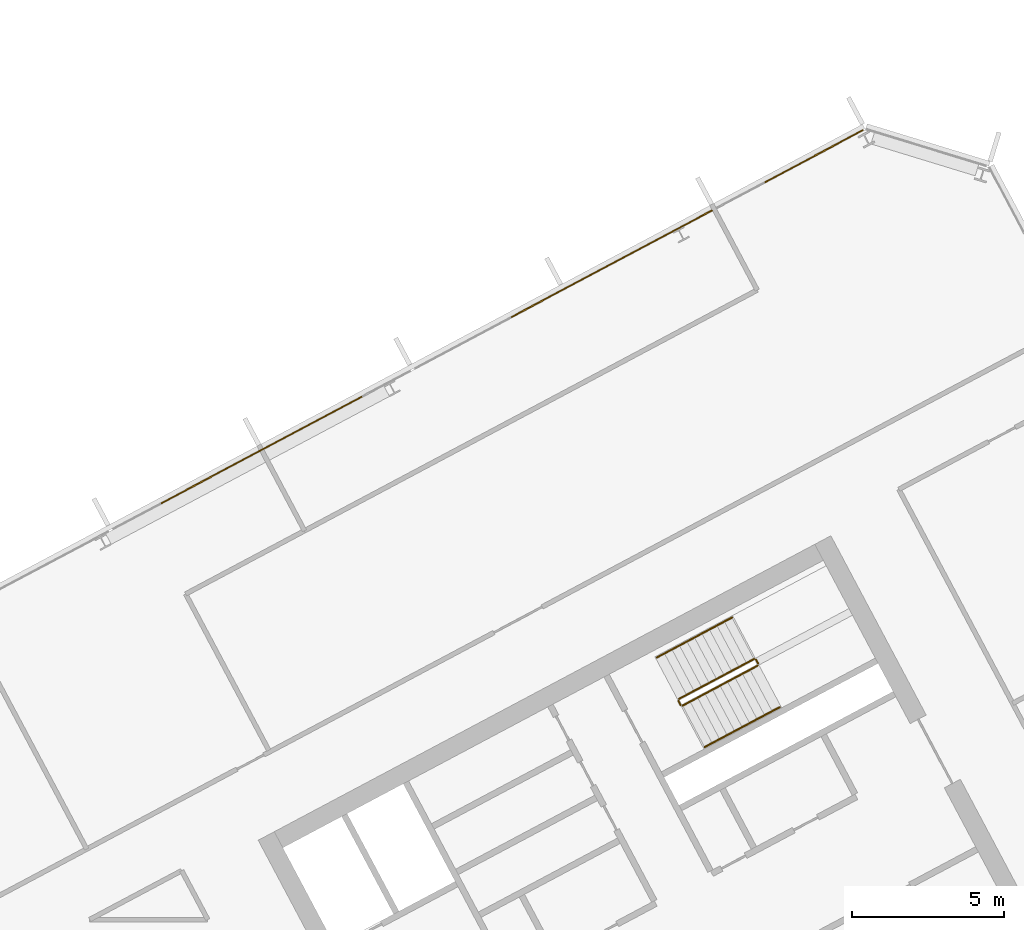
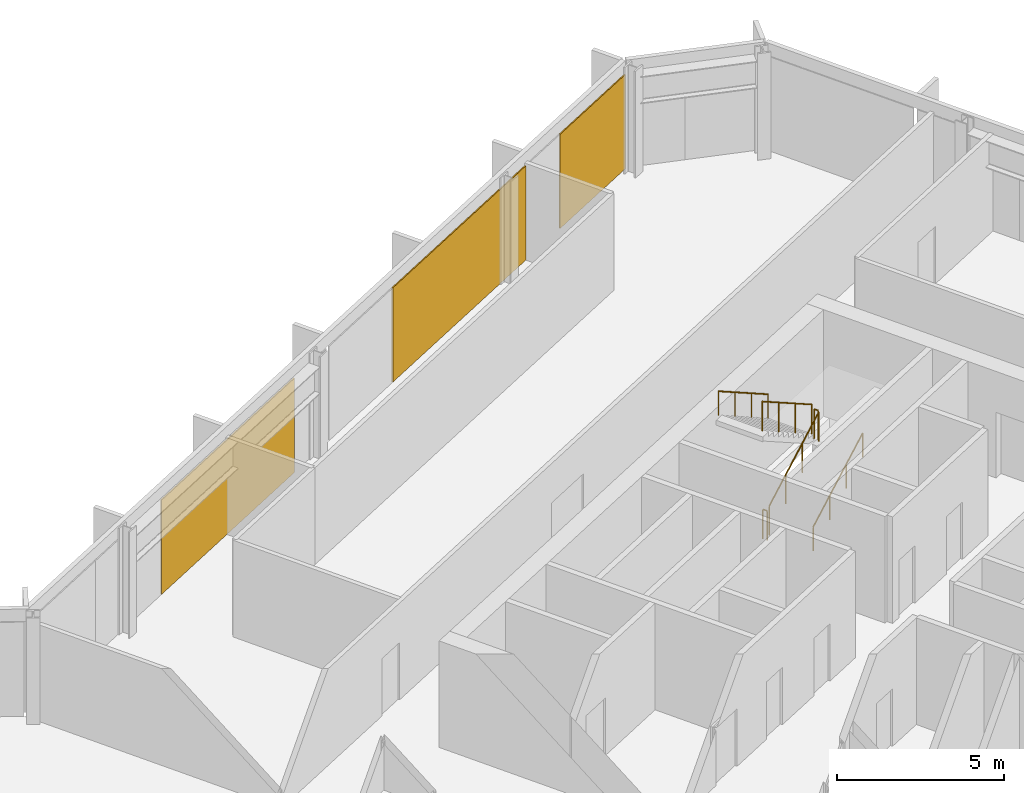
# One storey, part 25 of 26: 6 railings, 3 coverings, 1 element without a shape of its own.
"""IFC4 building model written with IfcOpenShell, lengths in metres."""

from ifc_helpers import new_model, si_unit, direction, frame, origin, origin_2d, place, context, subcontext, project, spatial, polyline, rectangle, outline, extrude, material, layer, layer_set, type_object, element, aggregate, save


model = new_model("IFC4")

# Units and contexts
model_context = context("Model", 3, precision=1e-05, world=origin(), true_north=direction((0.0, 1.0)))
body_context = subcontext(model_context, "Body", "Model", "MODEL_VIEW")
ifc_project = project(units=[si_unit("LENGTHUNIT", "METRE"), si_unit("AREAUNIT", "SQUARE_METRE"), si_unit("VOLUMEUNIT", "CUBIC_METRE"), si_unit("PLANEANGLEUNIT", "RADIAN"), si_unit("MASSUNIT", "GRAM", prefix="KILO")], contexts=[model_context])

# Site, building, storey
site_placement = place(None, origin())
site = spatial("IfcSite", under=ifc_project, at=site_placement, CompositionType="ELEMENT")
building_placement = place(site_placement, origin())
building = spatial("IfcBuilding", under=site, at=building_placement, Name="Cormorant Relay Tower", CompositionType="ELEMENT")
storey_placement = place(building_placement, frame((0.0, 0.0, 213.0)))
storey = spatial("IfcBuildingStorey", under=building, at=storey_placement, Name="L46", CompositionType="ELEMENT", Elevation=213.0)

# Curtain wall, coverings
ifc_material_1 = material(Name="Aluminium 6063-T6 anodised bronze", Category="aluminium")
ifc_layer_1 = layer(ifc_material_1, 0.199951171875)
ifc_layer_set_1 = layer_set([ifc_layer_1], Name="CW1 unitised bronze curtain wall with vertical fins")
curtain_wall_type = type_object("IfcCurtainWallType", Name="CW1 unitised bronze curtain wall with vertical fins", PredefinedType="NOTDEFINED", material=ifc_layer_set_1)
curtain_wall_placement = place(storey_placement, origin())
curtain_wall = element("IfcCurtainWall", 1, at=curtain_wall_placement, inside=storey, type_object=curtain_wall_type, Name="CW1 curtain wall 8", PredefinedType="NOTDEFINED")
ifc_material_2 = material(Name="Pale bronze anodised aluminium insulated panel", Category="aluminium")
ifc_layer_2 = layer(ifc_material_2, 0.0400390625)
ifc_layer_set_2 = layer_set([ifc_layer_2], Name="CW1 pale bronze insulated panel 40")
covering_type = type_object("IfcCoveringType", Name="CW1 pale bronze insulated panel 40", PredefinedType="CLADDING", material=ifc_layer_set_2)
covering_1_placement = place(storey_placement, frame((28.16943359375, 38.78466796875, 0.0), z_axis=(0.0, 0.0, 1.0), x_axis=(-0.882947592859, -0.469471562786, 0.0)))
covering_1 = element("IfcCovering", 2, at=covering_1_placement, type_object=covering_type, Name="CW1 panel S00", PredefinedType="CLADDING", context=body_context, shape_type="SweptSolid", body=[
    extrude(rectangle(XDim=3.68896484375, YDim=0.0400390625, at=origin_2d()), origin(), (0.0, 0.0, 1.0), 3.449951171875),
])
covering_2_placement = place(storey_placement, frame((21.49560546875, 35.236083984375, 0.0), z_axis=(0.0, 0.0, 1.0), x_axis=(-0.882947592859, -0.469471562786, 0.0)))
covering_2 = element("IfcCovering", 3, at=covering_2_placement, type_object=covering_type, Name="CW1 panel S02", PredefinedType="CLADDING", context=body_context, shape_type="SweptSolid", body=[
    extrude(rectangle(XDim=7.528076171875, YDim=0.0400390625, at=origin_2d()), origin(), (0.0, 0.0, 1.0), 3.449951171875),
])
covering_3_placement = place(storey_placement, frame((9.948486328125, 29.09619140625, 0.0), z_axis=(0.0, 0.0, 1.0), x_axis=(-0.882947592859, -0.469471562786, 0.0)))
covering_3 = element("IfcCovering", 4, at=covering_3_placement, type_object=covering_type, Name="CW1 panel S05", PredefinedType="CLADDING", context=body_context, shape_type="SweptSolid", body=[
    extrude(rectangle(XDim=7.528076171875, YDim=0.0400390625, at=origin_2d()), origin(), (0.0, 0.0, 1.0), 3.449951171875),
])
aggregate(curtain_wall, [covering_1, covering_2, covering_3])

# Railings
ifc_material_3 = material(Name="Steel ASTM A572 Grade 50 (Fy 345 MPa)", Category="steel")
railing_type_1 = type_object("IfcRailingType", Name="Stair guard 1100", PredefinedType="GUARDRAIL", material=ifc_material_3)
railing_1_placement = place(storey_placement, frame((23.8408203125, 20.6611328125, 0.17724609375)))
element("IfcRailing", 5, at=railing_1_placement, inside=storey, type_object=railing_type_1, Name="L46 B2 stair guard 1", PredefinedType="GUARDRAIL", context=body_context, shape_type="SweptSolid", body=[
    extrude(outline(polyline([(0.022216796875, 0.00927734375), (0.00927734375, 0.022216796875), (-0.00927734375, 0.022216796875), (-0.022216796875, 0.00927734375), (-0.022216796875, -0.00927734375), (-0.00927734375, -0.022216796875), (0.00927734375, -0.022216796875), (0.022216796875, -0.00927734375), (0.022216796875, 0.00927734375)])), frame((0.0, 0.0, 1.076171875), z_axis=(0.746033882577, 0.396627473466, 0.534901947407), x_axis=(-0.469429322983, 0.882970050864, 0.0)), (0.0, 0.0, 1.0), 3.31396484375),
    extrude(outline(polyline([(0.019287109375, 0.008056640625), (0.008056640625, 0.019287109375), (-0.008056640625, 0.019287109375), (-0.019287109375, 0.008056640625), (-0.019287109375, -0.008056640625), (-0.008056640625, -0.019287109375), (0.008056640625, -0.019287109375), (0.019287109375, -0.008056640625), (0.019287109375, 0.008056640625)])), origin(), (0.0, 0.0, 1.0), 1.052001953125),
    extrude(outline(polyline([(0.019287109375, 0.008056640625), (0.008056640625, 0.019287109375), (-0.008056640625, 0.019287109375), (-0.019287109375, 0.008056640625), (-0.019287109375, -0.008056640625), (-0.008056640625, -0.019287109375), (0.008056640625, -0.019287109375), (0.019287109375, -0.008056640625), (0.019287109375, 0.008056640625)])), frame((0.82421875, 0.438232421875, 0.5908203125)), (0.0, 0.0, 1.0), 1.052001953125),
    extrude(outline(polyline([(0.019287109375, 0.008056640625), (0.008056640625, 0.019287109375), (-0.008056640625, 0.019287109375), (-0.019287109375, 0.008056640625), (-0.019287109375, -0.008056640625), (-0.008056640625, -0.019287109375), (0.008056640625, -0.019287109375), (0.019287109375, -0.008056640625), (0.019287109375, 0.008056640625)])), frame((1.648193359375, 0.876220703125, 1.181884765625)), (0.0, 0.0, 1.0), 1.052001953125),
    extrude(outline(polyline([(0.019287109375, 0.008056640625), (0.008056640625, 0.019287109375), (-0.008056640625, 0.019287109375), (-0.019287109375, 0.008056640625), (-0.019287109375, -0.008056640625), (-0.008056640625, -0.019287109375), (0.008056640625, -0.019287109375), (0.019287109375, -0.008056640625), (0.019287109375, 0.008056640625)])), frame((2.472412109375, 1.314453125, 1.772705078125)), (0.0, 0.0, 1.0), 1.052001953125),
])
railing_2_placement = place(storey_placement, frame((26.333740234375, 22.043212890625, 1.949951171875)))
element("IfcRailing", 6, at=railing_2_placement, inside=storey, type_object=railing_type_1, Name="L46 B2 stair guard 2", PredefinedType="GUARDRAIL", context=body_context, shape_type="SweptSolid", body=[
    extrude(outline(polyline([(0.022216796875, 0.00927734375), (0.00927734375, 0.022216796875), (-0.00927734375, 0.022216796875), (-0.022216796875, 0.00927734375), (-0.022216796875, -0.00927734375), (-0.00927734375, -0.022216796875), (0.00927734375, -0.022216796875), (0.022216796875, -0.00927734375), (0.022216796875, 0.00927734375)])), frame((0.0, 0.0, 1.076171875), z_axis=(-0.469234640946, 0.883073525669, 0.0), x_axis=(-0.883073525669, -0.469234640946, 0.0)), (0.0, 0.0, 1.0), 0.14990234375),
    extrude(outline(polyline([(0.019287109375, 0.008056640625), (0.008056640625, 0.019287109375), (-0.008056640625, 0.019287109375), (-0.019287109375, 0.008056640625), (-0.019287109375, -0.008056640625), (-0.008056640625, -0.019287109375), (0.008056640625, -0.019287109375), (0.019287109375, -0.008056640625), (0.019287109375, 0.008056640625)])), origin(), (0.0, 0.0, 1.0), 1.052001953125),
    extrude(outline(polyline([(0.019287109375, 0.008056640625), (0.008056640625, 0.019287109375), (-0.008056640625, 0.019287109375), (-0.019287109375, 0.008056640625), (-0.019287109375, -0.008056640625), (-0.008056640625, -0.019287109375), (0.008056640625, -0.019287109375), (0.019287109375, -0.008056640625), (0.019287109375, 0.008056640625)])), frame((-0.0703125, 0.13232421875, 0.0)), (0.0, 0.0, 1.0), 1.052001953125),
])
railing_3_placement = place(storey_placement, frame((26.19580078125, 22.1962890625, 2.127197265625)))
element("IfcRailing", 7, at=railing_3_placement, inside=storey, type_object=railing_type_1, Name="L46 B2 stair guard 3", PredefinedType="GUARDRAIL", context=body_context, shape_type="SweptSolid", body=[
    extrude(outline(polyline([(0.022216796875, 0.00927734375), (0.00927734375, 0.022216796875), (-0.00927734375, 0.022216796875), (-0.022216796875, 0.00927734375), (-0.022216796875, -0.00927734375), (-0.00927734375, -0.022216796875), (0.00927734375, -0.022216796875), (0.022216796875, -0.00927734375), (0.022216796875, 0.00927734375)])), frame((0.0, 0.0, 1.076171875), z_axis=(-0.746033882577, -0.396627473466, 0.534901947407), x_axis=(0.469429322983, -0.882970050864, 0.0)), (0.0, 0.0, 1.0), 3.31396484375),
    extrude(outline(polyline([(0.019287109375, 0.008056640625), (0.008056640625, 0.019287109375), (-0.008056640625, 0.019287109375), (-0.019287109375, 0.008056640625), (-0.019287109375, -0.008056640625), (-0.008056640625, -0.019287109375), (0.008056640625, -0.019287109375), (0.019287109375, -0.008056640625), (0.019287109375, 0.008056640625)])), origin(), (0.0, 0.0, 1.0), 1.052001953125),
    extrude(outline(polyline([(0.019287109375, 0.008056640625), (0.008056640625, 0.019287109375), (-0.008056640625, 0.019287109375), (-0.019287109375, 0.008056640625), (-0.019287109375, -0.008056640625), (-0.008056640625, -0.019287109375), (0.008056640625, -0.019287109375), (0.019287109375, -0.008056640625), (0.019287109375, 0.008056640625)])), frame((-0.82421875, -0.438232421875, 0.5908203125)), (0.0, 0.0, 1.0), 1.052001953125),
    extrude(outline(polyline([(0.019287109375, 0.008056640625), (0.008056640625, 0.019287109375), (-0.008056640625, 0.019287109375), (-0.019287109375, 0.008056640625), (-0.019287109375, -0.008056640625), (-0.008056640625, -0.019287109375), (0.008056640625, -0.019287109375), (0.019287109375, -0.008056640625), (0.019287109375, 0.008056640625)])), frame((-1.648193359375, -0.876220703125, 1.181884765625)), (0.0, 0.0, 1.0), 1.052001953125),
    extrude(outline(polyline([(0.019287109375, 0.008056640625), (0.008056640625, 0.019287109375), (-0.008056640625, 0.019287109375), (-0.019287109375, 0.008056640625), (-0.019287109375, -0.008056640625), (-0.008056640625, -0.019287109375), (0.008056640625, -0.019287109375), (0.019287109375, -0.008056640625), (0.019287109375, 0.008056640625)])), frame((-2.472412109375, -1.314453125, 1.772705078125)), (0.0, 0.0, 1.0), 1.052001953125),
])
railing_4_placement = place(storey_placement, frame((23.773193359375, 20.681640625, 0.0)))
element("IfcRailing", 8, at=railing_4_placement, inside=storey, type_object=railing_type_1, Name="L46 B2 stair guard 4", PredefinedType="GUARDRAIL", context=body_context, shape_type="SweptSolid", body=[
    extrude(outline(polyline([(0.022216796875, 0.00927734375), (0.00927734375, 0.022216796875), (-0.00927734375, 0.022216796875), (-0.022216796875, 0.00927734375), (-0.022216796875, -0.00927734375), (-0.00927734375, -0.022216796875), (0.00927734375, -0.022216796875), (0.022216796875, -0.00927734375), (0.022216796875, 0.00927734375)])), frame((0.0, 0.0, 1.076171875), z_axis=(-0.46856034887, 0.8834314911, 0.0), x_axis=(-0.8834314911, -0.46856034887, 0.0)), (0.0, 0.0, 1.0), 0.150146484375),
    extrude(outline(polyline([(0.019287109375, 0.008056640625), (0.008056640625, 0.019287109375), (-0.008056640625, 0.019287109375), (-0.019287109375, 0.008056640625), (-0.019287109375, -0.008056640625), (-0.008056640625, -0.019287109375), (0.008056640625, -0.019287109375), (0.019287109375, -0.008056640625), (0.019287109375, 0.008056640625)])), origin(), (0.0, 0.0, 1.0), 1.052001953125),
    extrude(outline(polyline([(0.019287109375, 0.008056640625), (0.008056640625, 0.019287109375), (-0.008056640625, 0.019287109375), (-0.019287109375, 0.008056640625), (-0.019287109375, -0.008056640625), (-0.008056640625, -0.019287109375), (0.008056640625, -0.019287109375), (0.019287109375, -0.008056640625), (0.019287109375, 0.008056640625)])), frame((-0.0703125, 0.132568359375, 0.0)), (0.0, 0.0, 1.0), 1.052001953125),
])
ifc_material_4 = material(Name="Steel ASTM A572 Grade 50 (Fy 345 MPa)", Category="steel")
railing_type_2 = type_object("IfcRailingType", Name="Stair handrail 900", PredefinedType="HANDRAIL", material=ifc_material_4)
railing_5_placement = place(storey_placement, frame((24.568603515625, 19.29248046875, 0.17724609375)))
element("IfcRailing", 9, at=railing_5_placement, inside=storey, type_object=railing_type_2, Name="L46 B2 stair handrail 1", PredefinedType="HANDRAIL", context=body_context, shape_type="SweptSolid", body=[
    extrude(outline(polyline([(0.022216796875, 0.00927734375), (0.00927734375, 0.022216796875), (-0.00927734375, 0.022216796875), (-0.022216796875, 0.00927734375), (-0.022216796875, -0.00927734375), (-0.00927734375, -0.022216796875), (0.00927734375, -0.022216796875), (0.022216796875, -0.00927734375), (0.022216796875, 0.00927734375)])), frame((0.0, 0.0, 0.8759765625), z_axis=(0.746001213114, 0.396649272309, 0.534931345884), x_axis=(-0.469465464807, 0.882950835185, 0.0)), (0.0, 0.0, 1.0), 3.31396484375),
    extrude(outline(polyline([(0.019287109375, 0.008056640625), (0.008056640625, 0.019287109375), (-0.008056640625, 0.019287109375), (-0.019287109375, 0.008056640625), (-0.019287109375, -0.008056640625), (-0.008056640625, -0.019287109375), (0.008056640625, -0.019287109375), (0.019287109375, -0.008056640625), (0.019287109375, 0.008056640625)])), origin(), (0.0, 0.0, 1.0), 0.851806640625),
    extrude(outline(polyline([(0.019287109375, 0.008056640625), (0.008056640625, 0.019287109375), (-0.008056640625, 0.019287109375), (-0.019287109375, 0.008056640625), (-0.019287109375, -0.008056640625), (-0.008056640625, -0.019287109375), (0.008056640625, -0.019287109375), (0.019287109375, -0.008056640625), (0.019287109375, 0.008056640625)])), frame((0.823974609375, 0.438232421875, 0.5908203125)), (0.0, 0.0, 1.0), 0.851806640625),
    extrude(outline(polyline([(0.019287109375, 0.008056640625), (0.008056640625, 0.019287109375), (-0.008056640625, 0.019287109375), (-0.019287109375, 0.008056640625), (-0.019287109375, -0.008056640625), (-0.008056640625, -0.019287109375), (0.008056640625, -0.019287109375), (0.019287109375, -0.008056640625), (0.019287109375, 0.008056640625)])), frame((1.648193359375, 0.876220703125, 1.181884765625)), (0.0, 0.0, 1.0), 0.851806640625),
    extrude(outline(polyline([(0.019287109375, 0.008056640625), (0.008056640625, 0.019287109375), (-0.008056640625, 0.019287109375), (-0.019287109375, 0.008056640625), (-0.019287109375, -0.008056640625), (-0.008056640625, -0.019287109375), (0.008056640625, -0.019287109375), (0.019287109375, -0.008056640625), (0.019287109375, 0.008056640625)])), frame((2.47216796875, 1.314453125, 1.772705078125)), (0.0, 0.0, 1.0), 0.851806640625),
])
railing_6_placement = place(storey_placement, frame((25.468017578125, 23.56494140625, 2.127197265625)))
element("IfcRailing", 10, at=railing_6_placement, inside=storey, type_object=railing_type_2, Name="L46 B2 stair handrail 2", PredefinedType="HANDRAIL", context=body_context, shape_type="SweptSolid", body=[
    extrude(outline(polyline([(0.022216796875, 0.00927734375), (0.00927734375, 0.022216796875), (-0.00927734375, 0.022216796875), (-0.022216796875, 0.00927734375), (-0.022216796875, -0.00927734375), (-0.00927734375, -0.022216796875), (0.00927734375, -0.022216796875), (0.022216796875, -0.00927734375), (0.022216796875, 0.00927734375)])), frame((0.0, 0.0, 0.8759765625), z_axis=(-0.745979412481, -0.396711350603, 0.534915713414), x_axis=(0.469533439143, -0.882914689835, 0.0)), (0.0, 0.0, 1.0), 3.31396484375),
    extrude(outline(polyline([(0.019287109375, 0.008056640625), (0.008056640625, 0.019287109375), (-0.008056640625, 0.019287109375), (-0.019287109375, 0.008056640625), (-0.019287109375, -0.008056640625), (-0.008056640625, -0.019287109375), (0.008056640625, -0.019287109375), (0.019287109375, -0.008056640625), (0.019287109375, 0.008056640625)])), origin(), (0.0, 0.0, 1.0), 0.851806640625),
    extrude(outline(polyline([(0.019287109375, 0.008056640625), (0.008056640625, 0.019287109375), (-0.008056640625, 0.019287109375), (-0.019287109375, 0.008056640625), (-0.019287109375, -0.008056640625), (-0.008056640625, -0.019287109375), (0.008056640625, -0.019287109375), (0.019287109375, -0.008056640625), (0.019287109375, 0.008056640625)])), frame((-0.823974609375, -0.438232421875, 0.5908203125)), (0.0, 0.0, 1.0), 0.851806640625),
    extrude(outline(polyline([(0.019287109375, 0.008056640625), (0.008056640625, 0.019287109375), (-0.008056640625, 0.019287109375), (-0.019287109375, 0.008056640625), (-0.019287109375, -0.008056640625), (-0.008056640625, -0.019287109375), (0.008056640625, -0.019287109375), (0.019287109375, -0.008056640625), (0.019287109375, 0.008056640625)])), frame((-1.648193359375, -0.87646484375, 1.181884765625)), (0.0, 0.0, 1.0), 0.851806640625),
    extrude(outline(polyline([(0.019287109375, 0.008056640625), (0.008056640625, 0.019287109375), (-0.008056640625, 0.019287109375), (-0.019287109375, 0.008056640625), (-0.019287109375, -0.008056640625), (-0.008056640625, -0.019287109375), (0.008056640625, -0.019287109375), (0.019287109375, -0.008056640625), (0.019287109375, 0.008056640625)])), frame((-2.47216796875, -1.314697265625, 1.772705078125)), (0.0, 0.0, 1.0), 0.851806640625),
])

save(model, "model.ifc")
